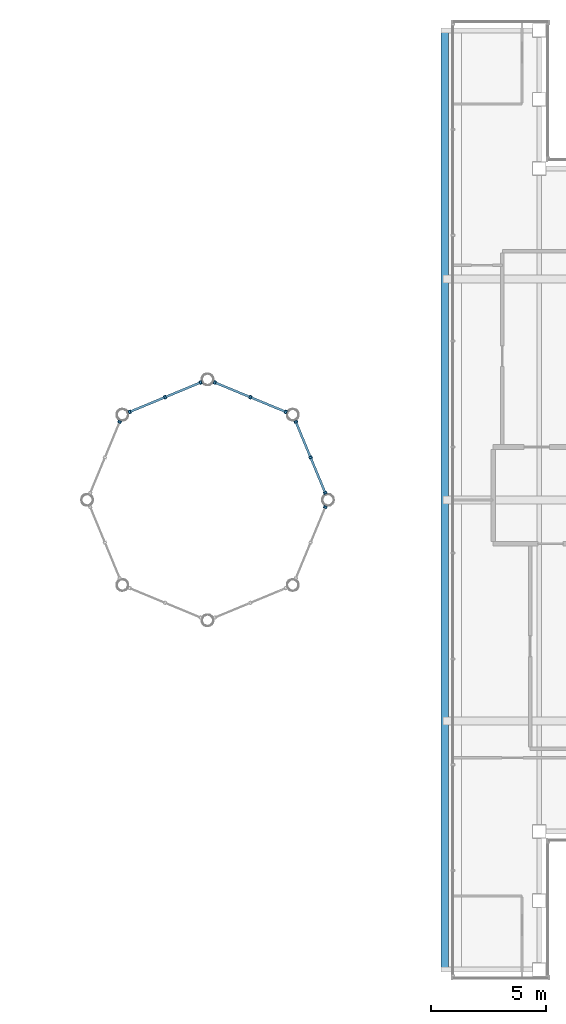
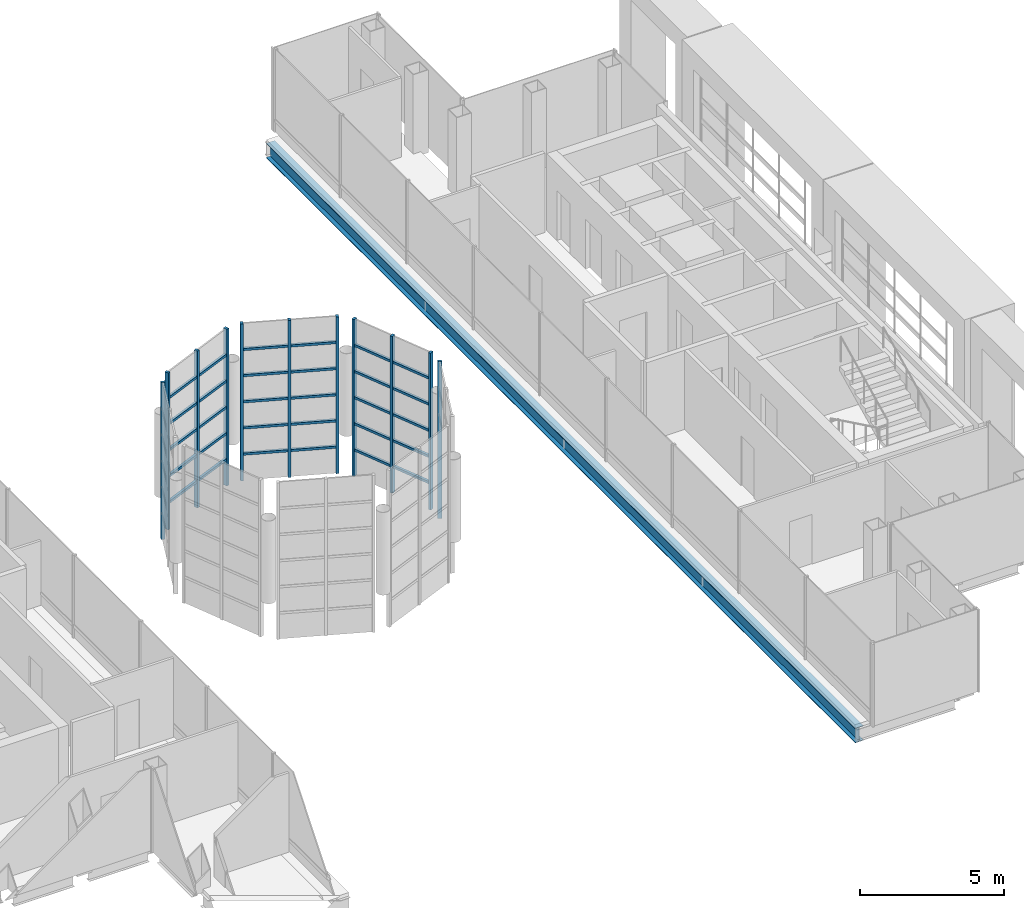
# One storey, part 6 of 21: 41 members, 1 beam, 5 elements without a shape of their own.
"""IFC4 building model written with IfcOpenShell, lengths in metres."""

from ifc_helpers import new_model, si_unit, direction, frame, origin, origin_2d, place, context, subcontext, project, spatial, rectangle, i_section, extrude, material, material_profile, profile_set, type_object, element, aggregate, save


model = new_model("IFC4")

# Units and contexts
model_context = context("Model", 3, precision=1e-05, world=origin(), true_north=direction((0.0, 1.0)))
body_context = subcontext(model_context, "Body", "Model", "MODEL_VIEW")
ifc_project = project(units=[si_unit("LENGTHUNIT", "METRE"), si_unit("AREAUNIT", "SQUARE_METRE"), si_unit("VOLUMEUNIT", "CUBIC_METRE"), si_unit("PLANEANGLEUNIT", "RADIAN"), si_unit("MASSUNIT", "GRAM", prefix="KILO")], contexts=[model_context])

# Site, building, storey
site_placement = place(None, origin())
site = spatial("IfcSite", under=ifc_project, at=site_placement, CompositionType="ELEMENT")
building_placement = place(site_placement, origin())
building = spatial("IfcBuilding", under=site, at=building_placement, Name="Cobrizo Arcos Hotel Tower", CompositionType="ELEMENT")
storey_placement = place(building_placement, frame((0.0, 0.0, 283.0)))
storey = spatial("IfcBuildingStorey", under=building, at=storey_placement, Name="L75", CompositionType="ELEMENT", Elevation=283.0)

# Curtain wall, members
ifc_material_1 = material(Name="Aluminium 6063-T6 anodised bronze", Category="aluminium")
curtain_wall_type = type_object("IfcCurtainWallType", Name="CW-D plant louvre wall", PredefinedType="NOTDEFINED", material=ifc_material_1)
curtain_wall_1_placement = place(storey_placement, origin())
curtain_wall_1 = element("IfcCurtainWall", 1, at=curtain_wall_1_placement, inside=storey, type_object=curtain_wall_type, Name="CW-D drum louvre wall t2-1", PredefinedType="NOTDEFINED")
ifc_material_profile_1 = material_profile(ifc_material_1, rectangle(XDim=0.14990234375, YDim=0.10009765625, at=origin_2d()), Name="CW-D mullion 150x100")
ifc_profile_set_1 = profile_set([ifc_material_profile_1], Name="Aluminium 6063-T6 anodised bronze")
member_type_1 = type_object("IfcMemberType", Name="CW-D mullion 150x100", PredefinedType="MULLION", material=ifc_profile_set_1)
member_1_placement = place(storey_placement, frame((5.104736328125, 0.30859375, -1.666748046875), z_axis=(0.0, 0.0, 1.0), x_axis=(0.923879532511, 0.382683432365, 0.0)))
member_1 = element("IfcMember", 2, at=member_1_placement, type_object=member_type_1, Name="CW-D mullion 1", PredefinedType="MULLION", context=body_context, shape_type="SweptSolid", body=[
    extrude(rectangle(XDim=0.14990234375, YDim=0.10009765625, at=origin_2d()), origin(), (0.0, 0.0, 1.0), 6.633544921875),
])
member_2_placement = place(storey_placement, frame((4.46630859375, 1.85009765625, -1.666748046875), z_axis=(0.0, 0.0, 1.0), x_axis=(0.923879532511, 0.382683432365, 0.0)))
member_2 = element("IfcMember", 3, at=member_2_placement, type_object=member_type_1, Name="CW-D mullion 2", PredefinedType="MULLION", context=body_context, shape_type="SweptSolid", body=[
    extrude(rectangle(XDim=0.14990234375, YDim=0.10009765625, at=origin_2d()), origin(), (0.0, 0.0, 1.0), 6.633544921875),
])
member_3_placement = place(storey_placement, frame((3.827880859375, 3.391357421875, -1.666748046875), z_axis=(0.0, 0.0, 1.0), x_axis=(0.923879532511, 0.382683432365, 0.0)))
member_3 = element("IfcMember", 4, at=member_3_placement, type_object=member_type_1, Name="CW-D mullion 3", PredefinedType="MULLION", context=body_context, shape_type="SweptSolid", body=[
    extrude(rectangle(XDim=0.14990234375, YDim=0.10009765625, at=origin_2d()), origin(), (0.0, 0.0, 1.0), 6.633544921875),
])

curtain_wall_2_placement = place(storey_placement, origin())
curtain_wall_2 = element("IfcCurtainWall", 5, at=curtain_wall_2_placement, inside=storey, type_object=curtain_wall_type, Name="CW-D drum louvre wall t2-2", PredefinedType="NOTDEFINED")
member_4_placement = place(storey_placement, frame((3.391357421875, 3.827880859375, -1.666748046875), z_axis=(0.0, 0.0, 1.0), x_axis=(0.382683432365, 0.923879532511, 0.0)))
member_4 = element("IfcMember", 6, at=member_4_placement, type_object=member_type_1, Name="CW-D mullion 1", PredefinedType="MULLION", context=body_context, shape_type="SweptSolid", body=[
    extrude(rectangle(XDim=0.14990234375, YDim=0.10009765625, at=origin_2d()), origin(), (0.0, 0.0, 1.0), 6.633544921875),
])
member_5_placement = place(storey_placement, frame((1.85009765625, 4.46630859375, -1.666748046875), z_axis=(0.0, 0.0, 1.0), x_axis=(0.382683432365, 0.923879532511, 0.0)))
member_5 = element("IfcMember", 7, at=member_5_placement, type_object=member_type_1, Name="CW-D mullion 2", PredefinedType="MULLION", context=body_context, shape_type="SweptSolid", body=[
    extrude(rectangle(XDim=0.14990234375, YDim=0.10009765625, at=origin_2d()), origin(), (0.0, 0.0, 1.0), 6.633544921875),
])
member_6_placement = place(storey_placement, frame((0.30859375, 5.104736328125, -1.666748046875), z_axis=(0.0, 0.0, 1.0), x_axis=(0.382683432365, 0.923879532511, 0.0)))
member_6 = element("IfcMember", 8, at=member_6_placement, type_object=member_type_1, Name="CW-D mullion 3", PredefinedType="MULLION", context=body_context, shape_type="SweptSolid", body=[
    extrude(rectangle(XDim=0.14990234375, YDim=0.10009765625, at=origin_2d()), origin(), (0.0, 0.0, 1.0), 6.633544921875),
])

curtain_wall_3_placement = place(storey_placement, origin())
curtain_wall_3 = element("IfcCurtainWall", 9, at=curtain_wall_3_placement, inside=storey, type_object=curtain_wall_type, Name="CW-D drum louvre wall t2-3", PredefinedType="NOTDEFINED")
member_7_placement = place(storey_placement, frame((-0.30859375, 5.104736328125, -1.666748046875), z_axis=(0.0, 0.0, 1.0), x_axis=(-0.382683432365, 0.923879532511, 0.0)))
member_7 = element("IfcMember", 10, at=member_7_placement, type_object=member_type_1, Name="CW-D mullion 1", PredefinedType="MULLION", context=body_context, shape_type="SweptSolid", body=[
    extrude(rectangle(XDim=0.14990234375, YDim=0.10009765625, at=origin_2d()), origin(), (0.0, 0.0, 1.0), 6.633544921875),
])
member_8_placement = place(storey_placement, frame((-1.85009765625, 4.46630859375, -1.666748046875), z_axis=(0.0, 0.0, 1.0), x_axis=(-0.382683432365, 0.923879532511, 0.0)))
member_8 = element("IfcMember", 11, at=member_8_placement, type_object=member_type_1, Name="CW-D mullion 2", PredefinedType="MULLION", context=body_context, shape_type="SweptSolid", body=[
    extrude(rectangle(XDim=0.14990234375, YDim=0.10009765625, at=origin_2d()), origin(), (0.0, 0.0, 1.0), 6.633544921875),
])
member_9_placement = place(storey_placement, frame((-3.391357421875, 3.827880859375, -1.666748046875), z_axis=(0.0, 0.0, 1.0), x_axis=(-0.382683432365, 0.923879532511, 0.0)))
member_9 = element("IfcMember", 12, at=member_9_placement, type_object=member_type_1, Name="CW-D mullion 3", PredefinedType="MULLION", context=body_context, shape_type="SweptSolid", body=[
    extrude(rectangle(XDim=0.14990234375, YDim=0.10009765625, at=origin_2d()), origin(), (0.0, 0.0, 1.0), 6.633544921875),
])

# Curtain wall, member
curtain_wall_4_placement = place(storey_placement, origin())
curtain_wall_4 = element("IfcCurtainWall", 13, at=curtain_wall_4_placement, inside=storey, type_object=curtain_wall_type, Name="CW-D drum louvre wall t2-4", PredefinedType="NOTDEFINED")
member_10_placement = place(storey_placement, frame((-3.827880859375, 3.391357421875, -1.666748046875), z_axis=(0.0, 0.0, 1.0), x_axis=(-0.923879532511, 0.382683432365, 0.0)))
member_10 = element("IfcMember", 14, at=member_10_placement, type_object=member_type_1, Name="CW-D mullion 1", PredefinedType="MULLION", context=body_context, shape_type="SweptSolid", body=[
    extrude(rectangle(XDim=0.14990234375, YDim=0.10009765625, at=origin_2d()), origin(), (0.0, 0.0, 1.0), 6.633544921875),
])
aggregate(curtain_wall_4, [member_10])

curtain_wall_5_placement = place(storey_placement, origin())
curtain_wall_5 = element("IfcCurtainWall", 15, at=curtain_wall_5_placement, inside=storey, type_object=curtain_wall_type, Name="CW-D drum louvre wall t2-8", PredefinedType="NOTDEFINED")
member_11_placement = place(storey_placement, frame((5.104736328125, -0.30859375, -1.666748046875), z_axis=(0.0, 0.0, 1.0), x_axis=(0.923879532511, -0.382683432365, 0.0)))
member_11 = element("IfcMember", 16, at=member_11_placement, type_object=member_type_1, Name="CW-D mullion 3", PredefinedType="MULLION", context=body_context, shape_type="SweptSolid", body=[
    extrude(rectangle(XDim=0.14990234375, YDim=0.10009765625, at=origin_2d()), origin(), (0.0, 0.0, 1.0), 6.633544921875),
])
aggregate(curtain_wall_5, [member_11])

# Member
ifc_material_profile_2 = material_profile(ifc_material_1, rectangle(XDim=0.10009765625, YDim=0.10009765625, at=origin_2d()), Name="CW-D transom 100x100")
ifc_profile_set_2 = profile_set([ifc_material_profile_2], Name="Aluminium 6063-T6 anodised bronze")
member_type_2 = type_object("IfcMemberType", Name="CW-D transom 100x100", PredefinedType="USERDEFINED", material=ifc_profile_set_2)
member_12_placement = place(storey_placement, frame((5.085693359375, 0.354736328125, -0.56103515625), z_axis=(-0.382768797092, 0.923844168663, 0.0), x_axis=(-0.923844168663, -0.382768797092, 0.0)))
member_12 = element("IfcMember", 17, at=member_12_placement, type_object=member_type_2, Name="CW-D transom 1-1", ObjectType="TRANSOM", PredefinedType="USERDEFINED", context=body_context, shape_type="SweptSolid", body=[
    extrude(rectangle(XDim=0.10009765625, YDim=0.10009765625, at=origin_2d()), origin(), (0.0, 0.0, 1.0), 1.568359375),
])

member_13_placement = place(storey_placement, frame((5.085693359375, 0.354736328125, 0.54443359375), z_axis=(-0.382768797092, 0.923844168663, 0.0), x_axis=(-0.923844168663, -0.382768797092, 0.0)))
member_13 = element("IfcMember", 18, at=member_13_placement, type_object=member_type_2, Name="CW-D transom 1-2", ObjectType="TRANSOM", PredefinedType="USERDEFINED", context=body_context, shape_type="SweptSolid", body=[
    extrude(rectangle(XDim=0.10009765625, YDim=0.10009765625, at=origin_2d()), origin(), (0.0, 0.0, 1.0), 1.568359375),
])

member_14_placement = place(storey_placement, frame((5.085693359375, 0.354736328125, 1.64990234375), z_axis=(-0.382768797092, 0.923844168663, 0.0), x_axis=(-0.923844168663, -0.382768797092, 0.0)))
member_14 = element("IfcMember", 19, at=member_14_placement, type_object=member_type_2, Name="CW-D transom 1-3", ObjectType="TRANSOM", PredefinedType="USERDEFINED", context=body_context, shape_type="SweptSolid", body=[
    extrude(rectangle(XDim=0.10009765625, YDim=0.10009765625, at=origin_2d()), origin(), (0.0, 0.0, 1.0), 1.568359375),
])

member_15_placement = place(storey_placement, frame((5.085693359375, 0.354736328125, 2.755615234375), z_axis=(-0.382768797092, 0.923844168663, 0.0), x_axis=(-0.923844168663, -0.382768797092, 0.0)))
member_15 = element("IfcMember", 20, at=member_15_placement, type_object=member_type_2, Name="CW-D transom 1-4", ObjectType="TRANSOM", PredefinedType="USERDEFINED", context=body_context, shape_type="SweptSolid", body=[
    extrude(rectangle(XDim=0.10009765625, YDim=0.10009765625, at=origin_2d()), origin(), (0.0, 0.0, 1.0), 1.568359375),
])

member_16_placement = place(storey_placement, frame((5.085693359375, 0.354736328125, 3.861083984375), z_axis=(-0.382768797092, 0.923844168663, 0.0), x_axis=(-0.923844168663, -0.382768797092, 0.0)))
member_16 = element("IfcMember", 21, at=member_16_placement, type_object=member_type_2, Name="CW-D transom 1-5", ObjectType="TRANSOM", PredefinedType="USERDEFINED", context=body_context, shape_type="SweptSolid", body=[
    extrude(rectangle(XDim=0.10009765625, YDim=0.10009765625, at=origin_2d()), origin(), (0.0, 0.0, 1.0), 1.568359375),
])

member_17_placement = place(storey_placement, frame((4.447265625, 1.896240234375, -0.56103515625), z_axis=(-0.382768797092, 0.923844168663, 0.0), x_axis=(-0.923844168663, -0.382768797092, 0.0)))
member_17 = element("IfcMember", 22, at=member_17_placement, type_object=member_type_2, Name="CW-D transom 2-1", ObjectType="TRANSOM", PredefinedType="USERDEFINED", context=body_context, shape_type="SweptSolid", body=[
    extrude(rectangle(XDim=0.10009765625, YDim=0.10009765625, at=origin_2d()), origin(), (0.0, 0.0, 1.0), 1.568359375),
])

member_18_placement = place(storey_placement, frame((4.447265625, 1.896240234375, 0.54443359375), z_axis=(-0.382768797092, 0.923844168663, 0.0), x_axis=(-0.923844168663, -0.382768797092, 0.0)))
member_18 = element("IfcMember", 23, at=member_18_placement, type_object=member_type_2, Name="CW-D transom 2-2", ObjectType="TRANSOM", PredefinedType="USERDEFINED", context=body_context, shape_type="SweptSolid", body=[
    extrude(rectangle(XDim=0.10009765625, YDim=0.10009765625, at=origin_2d()), origin(), (0.0, 0.0, 1.0), 1.568359375),
])

member_19_placement = place(storey_placement, frame((4.447265625, 1.896240234375, 1.64990234375), z_axis=(-0.382768797092, 0.923844168663, 0.0), x_axis=(-0.923844168663, -0.382768797092, 0.0)))
member_19 = element("IfcMember", 24, at=member_19_placement, type_object=member_type_2, Name="CW-D transom 2-3", ObjectType="TRANSOM", PredefinedType="USERDEFINED", context=body_context, shape_type="SweptSolid", body=[
    extrude(rectangle(XDim=0.10009765625, YDim=0.10009765625, at=origin_2d()), origin(), (0.0, 0.0, 1.0), 1.568359375),
])

member_20_placement = place(storey_placement, frame((4.447265625, 1.896240234375, 2.755615234375), z_axis=(-0.382768797092, 0.923844168663, 0.0), x_axis=(-0.923844168663, -0.382768797092, 0.0)))
member_20 = element("IfcMember", 25, at=member_20_placement, type_object=member_type_2, Name="CW-D transom 2-4", ObjectType="TRANSOM", PredefinedType="USERDEFINED", context=body_context, shape_type="SweptSolid", body=[
    extrude(rectangle(XDim=0.10009765625, YDim=0.10009765625, at=origin_2d()), origin(), (0.0, 0.0, 1.0), 1.568359375),
])

member_21_placement = place(storey_placement, frame((4.447265625, 1.896240234375, 3.861083984375), z_axis=(-0.382768797092, 0.923844168663, 0.0), x_axis=(-0.923844168663, -0.382768797092, 0.0)))
member_21 = element("IfcMember", 26, at=member_21_placement, type_object=member_type_2, Name="CW-D transom 2-5", ObjectType="TRANSOM", PredefinedType="USERDEFINED", context=body_context, shape_type="SweptSolid", body=[
    extrude(rectangle(XDim=0.10009765625, YDim=0.10009765625, at=origin_2d()), origin(), (0.0, 0.0, 1.0), 1.568359375),
])

aggregate(curtain_wall_1, [member_1, member_2, member_3, member_12, member_13, member_14, member_15, member_16, member_17, member_18, member_19, member_20, member_21])

member_22_placement = place(storey_placement, frame((3.34521484375, 3.846923828125, -0.56103515625), z_axis=(-0.923844168663, 0.382768797092, 0.0), x_axis=(-0.382768797092, -0.923844168663, 0.0)))
member_22 = element("IfcMember", 27, at=member_22_placement, type_object=member_type_2, Name="CW-D transom 1-1", ObjectType="TRANSOM", PredefinedType="USERDEFINED", context=body_context, shape_type="SweptSolid", body=[
    extrude(rectangle(XDim=0.10009765625, YDim=0.10009765625, at=origin_2d()), origin(), (0.0, 0.0, 1.0), 1.568359375),
])

member_23_placement = place(storey_placement, frame((3.34521484375, 3.846923828125, 0.54443359375), z_axis=(-0.923844168663, 0.382768797092, 0.0), x_axis=(-0.382768797092, -0.923844168663, 0.0)))
member_23 = element("IfcMember", 28, at=member_23_placement, type_object=member_type_2, Name="CW-D transom 1-2", ObjectType="TRANSOM", PredefinedType="USERDEFINED", context=body_context, shape_type="SweptSolid", body=[
    extrude(rectangle(XDim=0.10009765625, YDim=0.10009765625, at=origin_2d()), origin(), (0.0, 0.0, 1.0), 1.568359375),
])

member_24_placement = place(storey_placement, frame((3.34521484375, 3.846923828125, 1.64990234375), z_axis=(-0.923844168663, 0.382768797092, 0.0), x_axis=(-0.382768797092, -0.923844168663, 0.0)))
member_24 = element("IfcMember", 29, at=member_24_placement, type_object=member_type_2, Name="CW-D transom 1-3", ObjectType="TRANSOM", PredefinedType="USERDEFINED", context=body_context, shape_type="SweptSolid", body=[
    extrude(rectangle(XDim=0.10009765625, YDim=0.10009765625, at=origin_2d()), origin(), (0.0, 0.0, 1.0), 1.568359375),
])

member_25_placement = place(storey_placement, frame((3.34521484375, 3.846923828125, 2.755615234375), z_axis=(-0.923844168663, 0.382768797092, 0.0), x_axis=(-0.382768797092, -0.923844168663, 0.0)))
member_25 = element("IfcMember", 30, at=member_25_placement, type_object=member_type_2, Name="CW-D transom 1-4", ObjectType="TRANSOM", PredefinedType="USERDEFINED", context=body_context, shape_type="SweptSolid", body=[
    extrude(rectangle(XDim=0.10009765625, YDim=0.10009765625, at=origin_2d()), origin(), (0.0, 0.0, 1.0), 1.568359375),
])

member_26_placement = place(storey_placement, frame((3.34521484375, 3.846923828125, 3.861083984375), z_axis=(-0.923844168663, 0.382768797092, 0.0), x_axis=(-0.382768797092, -0.923844168663, 0.0)))
member_26 = element("IfcMember", 31, at=member_26_placement, type_object=member_type_2, Name="CW-D transom 1-5", ObjectType="TRANSOM", PredefinedType="USERDEFINED", context=body_context, shape_type="SweptSolid", body=[
    extrude(rectangle(XDim=0.10009765625, YDim=0.10009765625, at=origin_2d()), origin(), (0.0, 0.0, 1.0), 1.568359375),
])

member_27_placement = place(storey_placement, frame((1.8037109375, 4.4853515625, -0.56103515625), z_axis=(-0.923844168663, 0.382768797092, 0.0), x_axis=(-0.382768797092, -0.923844168663, 0.0)))
member_27 = element("IfcMember", 32, at=member_27_placement, type_object=member_type_2, Name="CW-D transom 2-1", ObjectType="TRANSOM", PredefinedType="USERDEFINED", context=body_context, shape_type="SweptSolid", body=[
    extrude(rectangle(XDim=0.10009765625, YDim=0.10009765625, at=origin_2d()), origin(), (0.0, 0.0, 1.0), 1.568359375),
])

member_28_placement = place(storey_placement, frame((1.8037109375, 4.4853515625, 0.54443359375), z_axis=(-0.923844168663, 0.382768797092, 0.0), x_axis=(-0.382768797092, -0.923844168663, 0.0)))
member_28 = element("IfcMember", 33, at=member_28_placement, type_object=member_type_2, Name="CW-D transom 2-2", ObjectType="TRANSOM", PredefinedType="USERDEFINED", context=body_context, shape_type="SweptSolid", body=[
    extrude(rectangle(XDim=0.10009765625, YDim=0.10009765625, at=origin_2d()), origin(), (0.0, 0.0, 1.0), 1.568359375),
])

member_29_placement = place(storey_placement, frame((1.8037109375, 4.4853515625, 1.64990234375), z_axis=(-0.923844168663, 0.382768797092, 0.0), x_axis=(-0.382768797092, -0.923844168663, 0.0)))
member_29 = element("IfcMember", 34, at=member_29_placement, type_object=member_type_2, Name="CW-D transom 2-3", ObjectType="TRANSOM", PredefinedType="USERDEFINED", context=body_context, shape_type="SweptSolid", body=[
    extrude(rectangle(XDim=0.10009765625, YDim=0.10009765625, at=origin_2d()), origin(), (0.0, 0.0, 1.0), 1.568359375),
])

member_30_placement = place(storey_placement, frame((1.8037109375, 4.4853515625, 2.755615234375), z_axis=(-0.923844168663, 0.382768797092, 0.0), x_axis=(-0.382768797092, -0.923844168663, 0.0)))
member_30 = element("IfcMember", 35, at=member_30_placement, type_object=member_type_2, Name="CW-D transom 2-4", ObjectType="TRANSOM", PredefinedType="USERDEFINED", context=body_context, shape_type="SweptSolid", body=[
    extrude(rectangle(XDim=0.10009765625, YDim=0.10009765625, at=origin_2d()), origin(), (0.0, 0.0, 1.0), 1.568359375),
])

member_31_placement = place(storey_placement, frame((1.8037109375, 4.4853515625, 3.861083984375), z_axis=(-0.923844168663, 0.382768797092, 0.0), x_axis=(-0.382768797092, -0.923844168663, 0.0)))
member_31 = element("IfcMember", 36, at=member_31_placement, type_object=member_type_2, Name="CW-D transom 2-5", ObjectType="TRANSOM", PredefinedType="USERDEFINED", context=body_context, shape_type="SweptSolid", body=[
    extrude(rectangle(XDim=0.10009765625, YDim=0.10009765625, at=origin_2d()), origin(), (0.0, 0.0, 1.0), 1.568359375),
])

aggregate(curtain_wall_2, [member_4, member_5, member_6, member_22, member_23, member_24, member_25, member_26, member_27, member_28, member_29, member_30, member_31])

member_32_placement = place(storey_placement, frame((-0.354736328125, 5.085693359375, -0.56103515625), z_axis=(-0.923844168663, -0.382768797092, 0.0), x_axis=(0.382768797092, -0.923844168663, 0.0)))
member_32 = element("IfcMember", 37, at=member_32_placement, type_object=member_type_2, Name="CW-D transom 1-1", ObjectType="TRANSOM", PredefinedType="USERDEFINED", context=body_context, shape_type="SweptSolid", body=[
    extrude(rectangle(XDim=0.10009765625, YDim=0.10009765625, at=origin_2d()), origin(), (0.0, 0.0, 1.0), 1.568359375),
])

member_33_placement = place(storey_placement, frame((-0.354736328125, 5.085693359375, 0.54443359375), z_axis=(-0.923844168663, -0.382768797092, 0.0), x_axis=(0.382768797092, -0.923844168663, 0.0)))
member_33 = element("IfcMember", 38, at=member_33_placement, type_object=member_type_2, Name="CW-D transom 1-2", ObjectType="TRANSOM", PredefinedType="USERDEFINED", context=body_context, shape_type="SweptSolid", body=[
    extrude(rectangle(XDim=0.10009765625, YDim=0.10009765625, at=origin_2d()), origin(), (0.0, 0.0, 1.0), 1.568359375),
])

member_34_placement = place(storey_placement, frame((-0.354736328125, 5.085693359375, 1.64990234375), z_axis=(-0.923844168663, -0.382768797092, 0.0), x_axis=(0.382768797092, -0.923844168663, 0.0)))
member_34 = element("IfcMember", 39, at=member_34_placement, type_object=member_type_2, Name="CW-D transom 1-3", ObjectType="TRANSOM", PredefinedType="USERDEFINED", context=body_context, shape_type="SweptSolid", body=[
    extrude(rectangle(XDim=0.10009765625, YDim=0.10009765625, at=origin_2d()), origin(), (0.0, 0.0, 1.0), 1.568359375),
])

member_35_placement = place(storey_placement, frame((-0.354736328125, 5.085693359375, 2.755615234375), z_axis=(-0.923844168663, -0.382768797092, 0.0), x_axis=(0.382768797092, -0.923844168663, 0.0)))
member_35 = element("IfcMember", 40, at=member_35_placement, type_object=member_type_2, Name="CW-D transom 1-4", ObjectType="TRANSOM", PredefinedType="USERDEFINED", context=body_context, shape_type="SweptSolid", body=[
    extrude(rectangle(XDim=0.10009765625, YDim=0.10009765625, at=origin_2d()), origin(), (0.0, 0.0, 1.0), 1.568359375),
])

member_36_placement = place(storey_placement, frame((-0.354736328125, 5.085693359375, 3.861083984375), z_axis=(-0.923844168663, -0.382768797092, 0.0), x_axis=(0.382768797092, -0.923844168663, 0.0)))
member_36 = element("IfcMember", 41, at=member_36_placement, type_object=member_type_2, Name="CW-D transom 1-5", ObjectType="TRANSOM", PredefinedType="USERDEFINED", context=body_context, shape_type="SweptSolid", body=[
    extrude(rectangle(XDim=0.10009765625, YDim=0.10009765625, at=origin_2d()), origin(), (0.0, 0.0, 1.0), 1.568359375),
])

member_37_placement = place(storey_placement, frame((-1.896240234375, 4.447265625, -0.56103515625), z_axis=(-0.923844168663, -0.382768797092, 0.0), x_axis=(0.382768797092, -0.923844168663, 0.0)))
member_37 = element("IfcMember", 42, at=member_37_placement, type_object=member_type_2, Name="CW-D transom 2-1", ObjectType="TRANSOM", PredefinedType="USERDEFINED", context=body_context, shape_type="SweptSolid", body=[
    extrude(rectangle(XDim=0.10009765625, YDim=0.10009765625, at=origin_2d()), origin(), (0.0, 0.0, 1.0), 1.568359375),
])

member_38_placement = place(storey_placement, frame((-1.896240234375, 4.447265625, 0.54443359375), z_axis=(-0.923844168663, -0.382768797092, 0.0), x_axis=(0.382768797092, -0.923844168663, 0.0)))
member_38 = element("IfcMember", 43, at=member_38_placement, type_object=member_type_2, Name="CW-D transom 2-2", ObjectType="TRANSOM", PredefinedType="USERDEFINED", context=body_context, shape_type="SweptSolid", body=[
    extrude(rectangle(XDim=0.10009765625, YDim=0.10009765625, at=origin_2d()), origin(), (0.0, 0.0, 1.0), 1.568359375),
])

member_39_placement = place(storey_placement, frame((-1.896240234375, 4.447265625, 1.64990234375), z_axis=(-0.923844168663, -0.382768797092, 0.0), x_axis=(0.382768797092, -0.923844168663, 0.0)))
member_39 = element("IfcMember", 44, at=member_39_placement, type_object=member_type_2, Name="CW-D transom 2-3", ObjectType="TRANSOM", PredefinedType="USERDEFINED", context=body_context, shape_type="SweptSolid", body=[
    extrude(rectangle(XDim=0.10009765625, YDim=0.10009765625, at=origin_2d()), origin(), (0.0, 0.0, 1.0), 1.568359375),
])

member_40_placement = place(storey_placement, frame((-1.896240234375, 4.447265625, 2.755615234375), z_axis=(-0.923844168663, -0.382768797092, 0.0), x_axis=(0.382768797092, -0.923844168663, 0.0)))
member_40 = element("IfcMember", 45, at=member_40_placement, type_object=member_type_2, Name="CW-D transom 2-4", ObjectType="TRANSOM", PredefinedType="USERDEFINED", context=body_context, shape_type="SweptSolid", body=[
    extrude(rectangle(XDim=0.10009765625, YDim=0.10009765625, at=origin_2d()), origin(), (0.0, 0.0, 1.0), 1.568359375),
])

member_41_placement = place(storey_placement, frame((-1.896240234375, 4.447265625, 3.861083984375), z_axis=(-0.923844168663, -0.382768797092, 0.0), x_axis=(0.382768797092, -0.923844168663, 0.0)))
member_41 = element("IfcMember", 46, at=member_41_placement, type_object=member_type_2, Name="CW-D transom 2-5", ObjectType="TRANSOM", PredefinedType="USERDEFINED", context=body_context, shape_type="SweptSolid", body=[
    extrude(rectangle(XDim=0.10009765625, YDim=0.10009765625, at=origin_2d()), origin(), (0.0, 0.0, 1.0), 1.568359375),
])

aggregate(curtain_wall_3, [member_7, member_8, member_9, member_32, member_33, member_34, member_35, member_36, member_37, member_38, member_39, member_40, member_41])

# Beam
ifc_material_2 = material(Name="Steel ASTM A992 Grade 50", Category="steel")
ifc_material_profile_3 = material_profile(ifc_material_2, i_section(OverallWidth=0.32763671875, OverallDepth=0.622314453125, WebThickness=0.015380859375, FlangeThickness=0.0244140625, at=origin_2d()), Name="W24X131")
ifc_profile_set_3 = profile_set([ifc_material_profile_3], Name="Steel ASTM A992 Grade 50")
beam_type = type_object("IfcBeamType", Name="W24X131 edge beam", PredefinedType="BEAM", material=ifc_profile_set_3)
beam_placement = place(storey_placement, frame((10.291748046875, -20.39990234375, -0.461181640625), z_axis=(0.0, 1.0, 0.0), x_axis=(-1.0, 0.0, 0.0)))
element("IfcBeam", 47, at=beam_placement, inside=storey, type_object=beam_type, Name="Edge beam EB1, L75, no. 002", PredefinedType="BEAM", context=body_context, shape_type="SweptSolid", body=[
    extrude(i_section(OverallWidth=0.32763671875, OverallDepth=0.622314453125, WebThickness=0.015380859375, FlangeThickness=0.0244140625, at=origin_2d()), origin(), (0.0, 0.0, 1.0), 40.7998046875),
])

save(model, "model.ifc")
